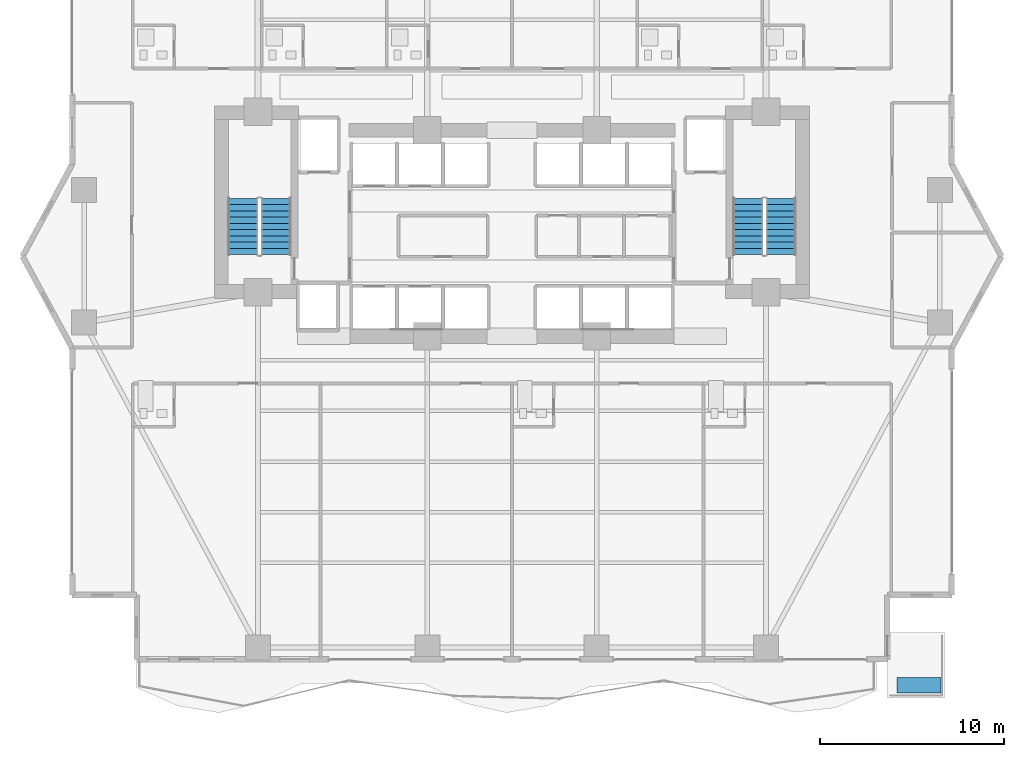
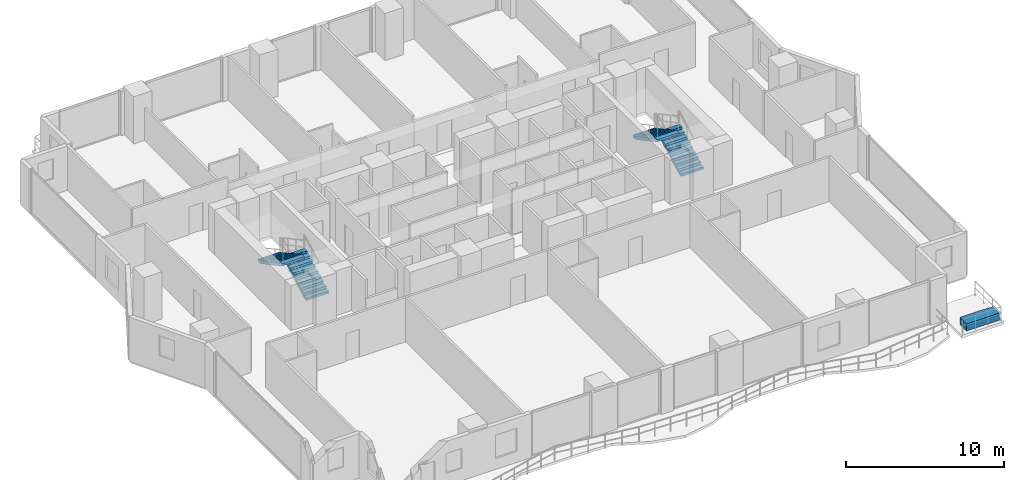
# One storey, part 25 of 30: 4 stair flights, 1 building element part, 2 elements without a shape of their own.
"""IFC4 building model written with IfcOpenShell, lengths in metres."""

from ifc_helpers import new_model, si_unit, direction, frame, origin, origin_2d, place, context, subcontext, project, spatial, polyline, rectangle, outline, extrude, material, layer, layer_set, type_object, element, aggregate, save


model = new_model("IFC4")

# Units and contexts
model_context = context("Model", 3, precision=1e-05, world=origin(), true_north=direction((0.0, 1.0)))
body_context = subcontext(model_context, "Body", "Model", "MODEL_VIEW")
ifc_project = project(units=[si_unit("LENGTHUNIT", "METRE"), si_unit("AREAUNIT", "SQUARE_METRE"), si_unit("VOLUMEUNIT", "CUBIC_METRE"), si_unit("PLANEANGLEUNIT", "RADIAN"), si_unit("MASSUNIT", "GRAM", prefix="KILO")], contexts=[model_context])

# Site, building, storey
site_placement = place(None, origin())
site = spatial("IfcSite", under=ifc_project, at=site_placement, CompositionType="ELEMENT")
building_placement = place(site_placement, origin())
building = spatial("IfcBuilding", under=site, at=building_placement, Name="Zuhayl Quay Hotel", CompositionType="ELEMENT")
storey_placement = place(building_placement, frame((0.0, 0.0, 128.5)))
storey = spatial("IfcBuildingStorey", under=building, at=storey_placement, Name="L32", CompositionType="ELEMENT", Elevation=128.5)

# Stair, stair flights
ifc_material_1 = material(Name="Concrete C45/55", Category="concrete")
stair_type = type_object("IfcStairType", Name="ST_DOGLEG_TOWER", PredefinedType="HALF_TURN_STAIR", material=ifc_material_1)
stair_1_placement = place(storey_placement, origin())
stair_1 = element("IfcStair", 1, at=stair_1_placement, inside=storey, type_object=stair_type, Name="L32 Smokeproof Exit Stair ST1", PredefinedType="HALF_TURN_STAIR")
ifc_layer_1 = layer(ifc_material_1, 0.159912109375, Name="Concrete C45/55", Category="concrete")
ifc_layer_set_1 = layer_set([ifc_layer_1], Name="Concrete C45/55")
stair_flight_type = type_object("IfcStairFlightType", Name="SF_CONC_164", PredefinedType="STRAIGHT", material=ifc_layer_set_1)
stair_flight_1_placement = place(storey_placement, frame((-12.820068359375, 6.590087890625, 0.0), z_axis=(0.0, 0.0, 1.0), x_axis=(0.0, 1.0, 0.0)))
stair_flight_1 = element("IfcStairFlight", 2, at=stair_flight_1_placement, type_object=stair_flight_type, Name="ST1 flight 1", NumberOfRisers=10, NumberOfTreads=9, PredefinedType="STRAIGHT", RiserHeight=0.1825, TreadLength=0.34, context=body_context, shape_type="SweptSolid", body=[
    extrude(outline(polyline([(0.0, 0.0), (0.0, 0.1826171875), (0.340087890625, 0.1826171875), (0.340087890625, 0.364990234375), (0.679931640625, 0.364990234375), (0.679931640625, 0.547607421875), (1.02001953125, 0.547607421875), (1.02001953125, 0.72998046875), (1.360107421875, 0.72998046875), (1.360107421875, 0.91259765625), (1.699951171875, 0.91259765625), (1.699951171875, 1.094970703125), (2.0400390625, 1.094970703125), (2.0400390625, 1.277587890625), (2.3798828125, 1.277587890625), (2.3798828125, 1.4599609375), (2.719970703125, 1.4599609375), (2.719970703125, 1.642578125), (3.06005859375, 1.642578125), (3.06005859375, 1.824951171875), (3.06005859375, 1.472412109375), (0.31689453125, 0.0), (0.0, 0.0)])), frame((0.0, 0.81982421875, 0.0), z_axis=(0.0, -1.0, 0.0), x_axis=(1.0, 0.0, 0.0)), (0.0, 0.0, 1.0), 1.639892578125),
])
stair_flight_2_placement = place(storey_placement, frame((-14.610107421875, 9.64990234375, 1.824951171875), z_axis=(0.0, 0.0, 1.0), x_axis=(0.0, -1.0, 0.0)))
stair_flight_2 = element("IfcStairFlight", 3, at=stair_flight_2_placement, type_object=stair_flight_type, Name="ST1 flight 2", NumberOfRisers=10, NumberOfTreads=9, PredefinedType="STRAIGHT", RiserHeight=0.1825, TreadLength=0.34, context=body_context, shape_type="SweptSolid", body=[
    extrude(outline(polyline([(0.0, 0.0), (0.0, 0.1826171875), (0.340087890625, 0.1826171875), (0.340087890625, 0.364990234375), (0.679931640625, 0.364990234375), (0.679931640625, 0.547607421875), (1.02001953125, 0.547607421875), (1.02001953125, 0.72998046875), (1.360107421875, 0.72998046875), (1.360107421875, 0.91259765625), (1.699951171875, 0.91259765625), (1.699951171875, 1.094970703125), (2.0400390625, 1.094970703125), (2.0400390625, 1.277587890625), (2.3798828125, 1.277587890625), (2.3798828125, 1.4599609375), (2.719970703125, 1.4599609375), (2.719970703125, 1.642578125), (3.06005859375, 1.642578125), (3.06005859375, 1.824951171875), (3.06005859375, 1.472412109375), (0.31689453125, 0.0), (0.0, 0.0)])), frame((0.0, 0.81982421875, 0.0), z_axis=(0.0, -1.0, 0.0), x_axis=(1.0, 0.0, 0.0)), (0.0, 0.0, 1.0), 1.639892578125),
])
aggregate(stair_1, [stair_flight_1, stair_flight_2])

stair_2_placement = place(storey_placement, origin())
stair_2 = element("IfcStair", 4, at=stair_2_placement, inside=storey, type_object=stair_type, Name="L32 Smokeproof Exit Stair ST2", PredefinedType="HALF_TURN_STAIR")
stair_flight_3_placement = place(storey_placement, frame((14.610107421875, 6.590087890625, 0.0), z_axis=(0.0, 0.0, 1.0), x_axis=(0.0, 1.0, 0.0)))
stair_flight_3 = element("IfcStairFlight", 5, at=stair_flight_3_placement, type_object=stair_flight_type, Name="ST2 flight 1", NumberOfRisers=10, NumberOfTreads=9, PredefinedType="STRAIGHT", RiserHeight=0.1825, TreadLength=0.34, context=body_context, shape_type="SweptSolid", body=[
    extrude(outline(polyline([(0.0, 0.0), (0.0, 0.1826171875), (0.340087890625, 0.1826171875), (0.340087890625, 0.364990234375), (0.679931640625, 0.364990234375), (0.679931640625, 0.547607421875), (1.02001953125, 0.547607421875), (1.02001953125, 0.72998046875), (1.360107421875, 0.72998046875), (1.360107421875, 0.91259765625), (1.699951171875, 0.91259765625), (1.699951171875, 1.094970703125), (2.0400390625, 1.094970703125), (2.0400390625, 1.277587890625), (2.3798828125, 1.277587890625), (2.3798828125, 1.4599609375), (2.719970703125, 1.4599609375), (2.719970703125, 1.642578125), (3.06005859375, 1.642578125), (3.06005859375, 1.824951171875), (3.06005859375, 1.472412109375), (0.31689453125, 0.0), (0.0, 0.0)])), frame((0.0, 0.81982421875, 0.0), z_axis=(0.0, -1.0, 0.0), x_axis=(1.0, 0.0, 0.0)), (0.0, 0.0, 1.0), 1.639892578125),
])
stair_flight_4_placement = place(storey_placement, frame((12.820068359375, 9.64990234375, 1.824951171875), z_axis=(0.0, 0.0, 1.0), x_axis=(0.0, -1.0, 0.0)))
stair_flight_4 = element("IfcStairFlight", 6, at=stair_flight_4_placement, type_object=stair_flight_type, Name="ST2 flight 2", NumberOfRisers=10, NumberOfTreads=9, PredefinedType="STRAIGHT", RiserHeight=0.1825, TreadLength=0.34, context=body_context, shape_type="SweptSolid", body=[
    extrude(outline(polyline([(0.0, 0.0), (0.0, 0.1826171875), (0.340087890625, 0.1826171875), (0.340087890625, 0.364990234375), (0.679931640625, 0.364990234375), (0.679931640625, 0.547607421875), (1.02001953125, 0.547607421875), (1.02001953125, 0.72998046875), (1.360107421875, 0.72998046875), (1.360107421875, 0.91259765625), (1.699951171875, 0.91259765625), (1.699951171875, 1.094970703125), (2.0400390625, 1.094970703125), (2.0400390625, 1.277587890625), (2.3798828125, 1.277587890625), (2.3798828125, 1.4599609375), (2.719970703125, 1.4599609375), (2.719970703125, 1.642578125), (3.06005859375, 1.642578125), (3.06005859375, 1.824951171875), (3.06005859375, 1.472412109375), (0.31689453125, 0.0), (0.0, 0.0)])), frame((0.0, 0.81982421875, 0.0), z_axis=(0.0, -1.0, 0.0), x_axis=(1.0, 0.0, 0.0)), (0.0, 0.0, 1.0), 1.639892578125),
])
aggregate(stair_2, [stair_flight_3, stair_flight_4])

# Building element part
ifc_material_2 = material(Name="Precast concrete C45/55", Category="concrete")
ifc_layer_2 = layer(ifc_material_2, 0.550048828125, Name="Precast concrete C45/55", Category="concrete")
ifc_layer_set_2 = layer_set([ifc_layer_2], Name="Precast concrete C45/55")
building_element_part_type = type_object("IfcBuildingElementPartType", Name="PT_PLANTER_KERB", PredefinedType="PRECASTPANEL", material=ifc_layer_set_2)
building_element_part_placement = place(storey_placement, frame((22.110107421875, -16.81005859375, 0.0), z_axis=(0.0, 0.0, 1.0), x_axis=(1.0, 0.0, 0.0)))
element("IfcBuildingElementPart", 7, at=building_element_part_placement, inside=storey, type_object=building_element_part_type, Name="L32 Spiral Sky-Terrace Planter Box SE", PredefinedType="PRECASTPANEL", context=body_context, shape_type="SweptSolid", body=[
    extrude(rectangle(XDim=2.39990234375, YDim=0.85009765625, at=origin_2d()), origin(), (0.0, 0.0, 1.0), 0.550048828125),
])

save(model, "model.ifc")
